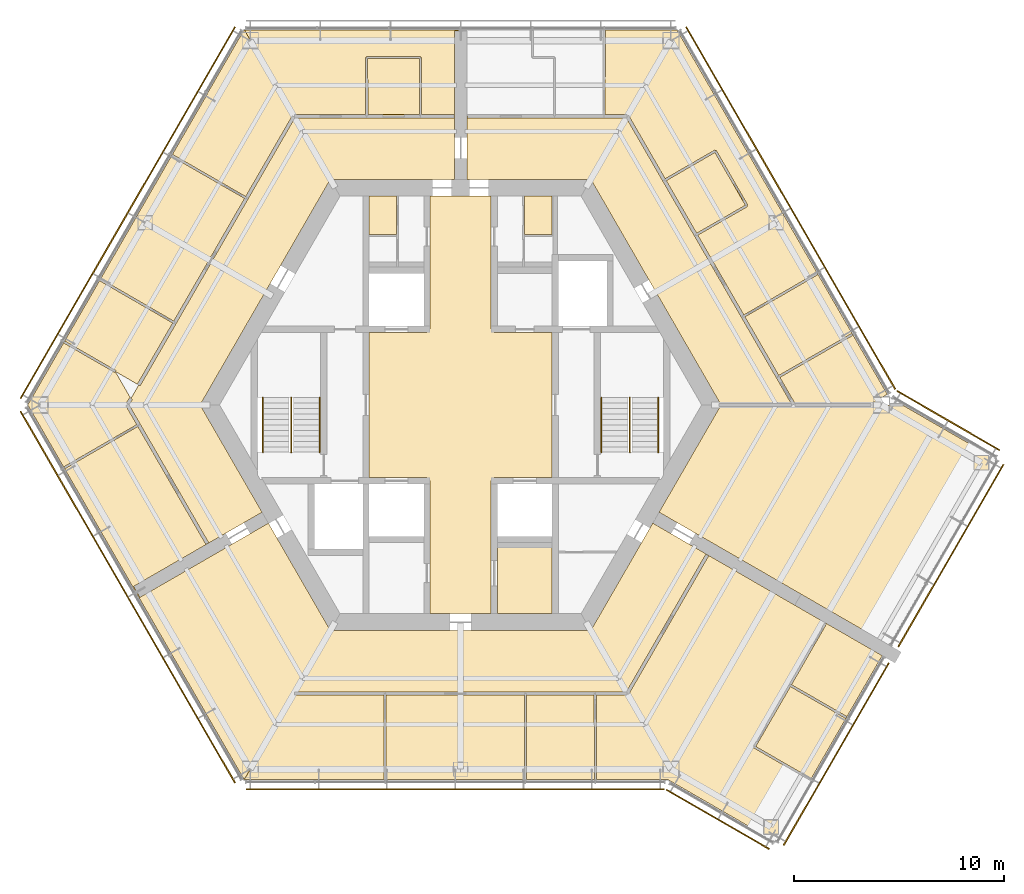
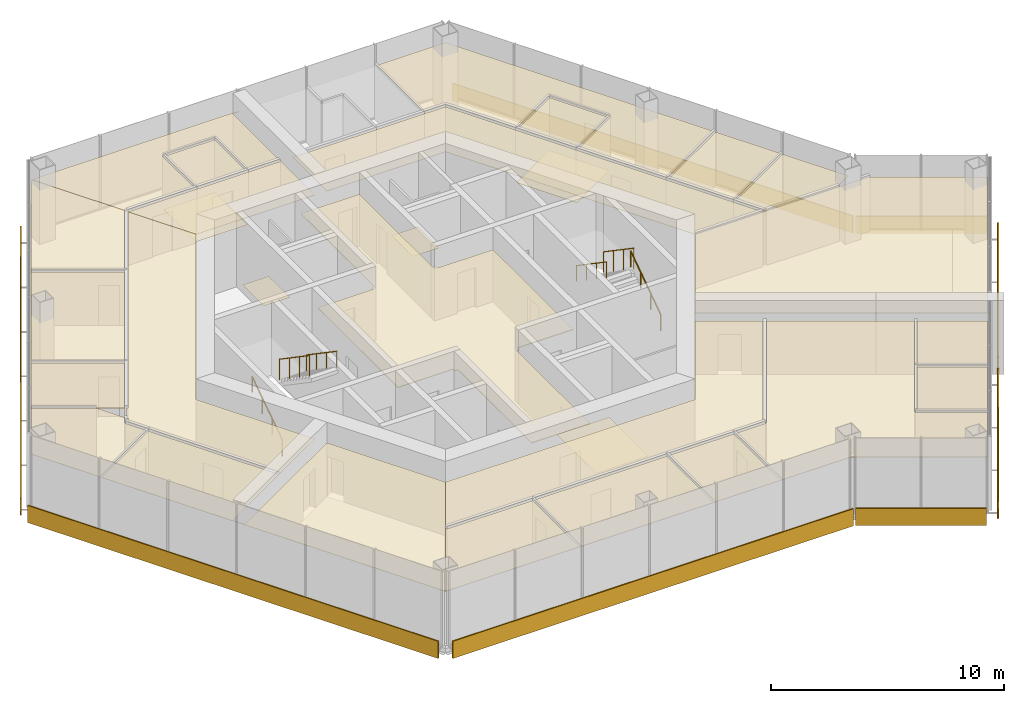
# One storey, part 12 of 13: 29 coverings, 8 shading devices, 6 railings.
"""IFC4 building model written with IfcOpenShell, lengths in metres."""

from ifc_helpers import new_model, si_unit, direction, frame, origin, origin_2d, place, context, subcontext, project, spatial, polyline, rectangle, circle, outline, extrude, material, layer, layer_set, type_object, element, save


model = new_model("IFC4")

# Units and contexts
model_context = context("Model", 3, precision=1e-05, world=origin(), true_north=direction((0.0, 1.0)))
body_context = subcontext(model_context, "Body", "Model", "MODEL_VIEW")
ifc_project = project(units=[si_unit("LENGTHUNIT", "METRE"), si_unit("AREAUNIT", "SQUARE_METRE"), si_unit("VOLUMEUNIT", "CUBIC_METRE"), si_unit("PLANEANGLEUNIT", "RADIAN"), si_unit("MASSUNIT", "GRAM", prefix="KILO")], contexts=[model_context])

# Site, building, storey
site_placement = place(None, origin())
site = spatial("IfcSite", under=ifc_project, at=site_placement, CompositionType="ELEMENT")
building_placement = place(site_placement, origin())
building = spatial("IfcBuilding", under=site, at=building_placement, Name="Kasaneha Research Tower", CompositionType="ELEMENT")
storey_placement = place(building_placement, frame((0.0, 0.0, 271.300048828125)))
storey = spatial("IfcBuildingStorey", under=building, at=storey_placement, Name="L68", CompositionType="ELEMENT", Elevation=271.300048828125)

# Covering
ifc_material_1 = material(Name="Aluminium panel ceiling", Category="aluminium")
ifc_layer_1 = layer(ifc_material_1, 0.0400390625)
ifc_layer_set_1 = layer_set([ifc_layer_1], Name="Lift lobby ceiling 40")
covering_type_1 = type_object("IfcCoveringType", Name="Lift lobby ceiling 40", PredefinedType="CEILING", material=ifc_layer_set_1)
covering_1_placement = place(storey_placement, frame((0.0, 0.0, 2.699951171875)))
element("IfcCovering", 1, at=covering_1_placement, inside=storey, type_object=covering_type_1, Name="Ceiling L68-01", PredefinedType="CEILING", context=body_context, shape_type="SweptSolid", body=[
    extrude(outline(polyline([(1.449951171875, 9.925048828125), (1.449951171875, 3.60009765625), (1.60009765625, 3.60009765625), (1.60009765625, 3.449951171875), (4.35009765625, 3.449951171875), (4.35009765625, -3.449951171875), (1.60009765625, -3.449951171875), (1.60009765625, -3.60009765625), (1.449951171875, -3.60009765625), (1.449951171875, -9.925048828125), (-1.449951171875, -9.925048828125), (-1.449951171875, -3.60009765625), (-1.60009765625, -3.60009765625), (-1.60009765625, -3.449951171875), (-4.35009765625, -3.449951171875), (-4.35009765625, 3.449951171875), (-1.60009765625, 3.449951171875), (-1.60009765625, 3.60009765625), (-1.449951171875, 3.60009765625), (-1.449951171875, 9.925048828125), (1.449951171875, 9.925048828125)])), origin(), (0.0, 0.0, 1.0), 0.0400390625),
])

# Railings
ifc_material_2 = material(Name="Steel", Category="steel")
railing_type_1 = type_object("IfcRailingType", Name="Stair balustrade 1100", PredefinedType="GUARDRAIL", material=ifc_material_2)
for number, where, name in (
    (2, (8.050048828125, 0.35009765625, 2.127197265625), "Stair 1 balustrade L68"),
    (3, (-8.050048828125, 0.35009765625, 2.127197265625), "Stair 2 balustrade L68"),
):
    element("IfcRailing", number, at=place(storey_placement, frame(where)), inside=storey, type_object=railing_type_1, Name=name, PredefinedType="GUARDRAIL", context=body_context, shape_type="SweptSolid", body=[
        extrude(circle(Radius=0.02392578125, at=origin_2d()), frame((0.0, 0.0, 1.076171875), z_axis=(0.0, -0.826240473404, 0.563317565952), x_axis=(1.0, 0.0, 0.0)), (0.0, 0.0, 1.0), 3.14697265625),
        extrude(circle(Radius=0.02099609375, at=origin_2d()), origin(), (0.0, 0.0, 1.0), 1.052001953125),
        extrude(circle(Radius=0.02099609375, at=origin_2d()), frame((0.0, -0.86669921875, 0.5908203125)), (0.0, 0.0, 1.0), 1.052001953125),
        extrude(circle(Radius=0.02099609375, at=origin_2d()), frame((0.0, -1.7333984375, 1.181884765625)), (0.0, 0.0, 1.0), 1.052001953125),
        extrude(circle(Radius=0.02099609375, at=origin_2d()), frame((0.0, -2.60009765625, 1.772705078125)), (0.0, 0.0, 1.0), 1.052001953125),
    ])
ifc_material_3 = material(Name="Steel", Category="steel")
railing_type_2 = type_object("IfcRailingType", Name="Stair handrail 850", PredefinedType="HANDRAIL", material=ifc_material_3)
railing_1_placement = place(storey_placement, frame((9.39990234375, -2.25, 0.17724609375)))
element("IfcRailing", 4, at=railing_1_placement, inside=storey, type_object=railing_type_2, Name="Stair 1 handrail L68", PredefinedType="HANDRAIL", context=body_context, shape_type="SweptSolid", body=[
    extrude(circle(Radius=0.02392578125, at=origin_2d()), frame((0.0, 0.0, 0.826171875), z_axis=(0.0, 0.826240473404, 0.563317565952), x_axis=(-1.0, 0.0, 0.0)), (0.0, 0.0, 1.0), 3.14697265625),
    extrude(circle(Radius=0.02099609375, at=origin_2d()), origin(), (0.0, 0.0, 1.0), 0.802001953125),
    extrude(circle(Radius=0.02099609375, at=origin_2d()), frame((0.0, 0.86669921875, 0.5908203125)), (0.0, 0.0, 1.0), 0.802001953125),
    extrude(circle(Radius=0.02099609375, at=origin_2d()), frame((0.0, 1.7333984375, 1.181884765625)), (0.0, 0.0, 1.0), 0.802001953125),
    extrude(circle(Radius=0.02099609375, at=origin_2d()), frame((0.0, 2.60009765625, 1.772705078125)), (0.0, 0.0, 1.0), 0.802001953125),
])
railing_2_placement = place(storey_placement, frame((6.699951171875, 0.35009765625, 2.127197265625)))
element("IfcRailing", 5, at=railing_2_placement, inside=storey, type_object=railing_type_2, Name="Stair 1 handrail L68", PredefinedType="HANDRAIL", context=body_context, shape_type="SweptSolid", body=[
    extrude(circle(Radius=0.02392578125, at=origin_2d()), frame((0.0, 0.0, 0.826171875), z_axis=(0.0, -0.826240473404, 0.563317565952), x_axis=(1.0, 0.0, 0.0)), (0.0, 0.0, 1.0), 3.14697265625),
    extrude(circle(Radius=0.02099609375, at=origin_2d()), origin(), (0.0, 0.0, 1.0), 0.802001953125),
    extrude(circle(Radius=0.02099609375, at=origin_2d()), frame((0.0, -0.86669921875, 0.5908203125)), (0.0, 0.0, 1.0), 0.802001953125),
    extrude(circle(Radius=0.02099609375, at=origin_2d()), frame((0.0, -1.7333984375, 1.181884765625)), (0.0, 0.0, 1.0), 0.802001953125),
    extrude(circle(Radius=0.02099609375, at=origin_2d()), frame((0.0, -2.60009765625, 1.772705078125)), (0.0, 0.0, 1.0), 0.802001953125),
])
railing_3_placement = place(storey_placement, frame((-9.39990234375, -2.25, 0.17724609375)))
element("IfcRailing", 6, at=railing_3_placement, inside=storey, type_object=railing_type_2, Name="Stair 2 handrail L68", PredefinedType="HANDRAIL", context=body_context, shape_type="SweptSolid", body=[
    extrude(circle(Radius=0.02392578125, at=origin_2d()), frame((0.0, 0.0, 0.826171875), z_axis=(0.0, 0.826240473404, 0.563317565952), x_axis=(-1.0, 0.0, 0.0)), (0.0, 0.0, 1.0), 3.14697265625),
    extrude(circle(Radius=0.02099609375, at=origin_2d()), origin(), (0.0, 0.0, 1.0), 0.802001953125),
    extrude(circle(Radius=0.02099609375, at=origin_2d()), frame((0.0, 0.86669921875, 0.5908203125)), (0.0, 0.0, 1.0), 0.802001953125),
    extrude(circle(Radius=0.02099609375, at=origin_2d()), frame((0.0, 1.7333984375, 1.181884765625)), (0.0, 0.0, 1.0), 0.802001953125),
    extrude(circle(Radius=0.02099609375, at=origin_2d()), frame((0.0, 2.60009765625, 1.772705078125)), (0.0, 0.0, 1.0), 0.802001953125),
])
railing_4_placement = place(storey_placement, frame((-6.699951171875, 0.35009765625, 2.127197265625)))
element("IfcRailing", 7, at=railing_4_placement, inside=storey, type_object=railing_type_2, Name="Stair 2 handrail L68", PredefinedType="HANDRAIL", context=body_context, shape_type="SweptSolid", body=[
    extrude(circle(Radius=0.02392578125, at=origin_2d()), frame((0.0, 0.0, 0.826171875), z_axis=(0.0, -0.826240473404, 0.563317565952), x_axis=(1.0, 0.0, 0.0)), (0.0, 0.0, 1.0), 3.14697265625),
    extrude(circle(Radius=0.02099609375, at=origin_2d()), origin(), (0.0, 0.0, 1.0), 0.802001953125),
    extrude(circle(Radius=0.02099609375, at=origin_2d()), frame((0.0, -0.86669921875, 0.5908203125)), (0.0, 0.0, 1.0), 0.802001953125),
    extrude(circle(Radius=0.02099609375, at=origin_2d()), frame((0.0, -1.7333984375, 1.181884765625)), (0.0, 0.0, 1.0), 0.802001953125),
    extrude(circle(Radius=0.02099609375, at=origin_2d()), frame((0.0, -2.60009765625, 1.772705078125)), (0.0, 0.0, 1.0), 0.802001953125),
])

# Coverings
ifc_material_4 = material(Name="Gypsum ceiling board", Category="gypsum")
ifc_layer_2 = layer(ifc_material_4, 0.02001953125)
ifc_layer_set_2 = layer_set([ifc_layer_2], Name="Suspended ceiling 20")
covering_type_2 = type_object("IfcCoveringType", Name="Suspended ceiling 20", PredefinedType="CEILING", material=ifc_layer_set_2)
covering_2_placement = place(storey_placement, frame((0.0, 0.0, 2.800048828125)))
element("IfcCovering", 8, at=covering_2_placement, inside=storey, type_object=covering_type_2, Name="Ceiling L68-27", PredefinedType="CEILING", context=body_context, shape_type="SweptSolid", body=[
    extrude(outline(polyline([(6.192138671875, 10.72509765625), (0.300048828125, 10.72509765625), (0.300048828125, 11.72509765625), (0.300048828125, 12.72509765625), (0.300048828125, 13.72509765625), (0.320068359375, 13.72509765625), (0.320068359375, 13.64990234375), (4.4599609375, 13.64990234375), (4.469970703125, 13.64990234375), (6.826416015625, 13.64990234375), (6.8359375, 13.64990234375), (7.880859375, 13.64990234375), (9.62353515625, 10.631591796875), (9.62353515625, 10.631591796875), (11.123779296875, 8.033203125), (11.123779296875, 8.033203125), (13.362060546875, 4.156005859375), (13.362060546875, 4.156005859375), (15.02783203125, 1.27099609375), (15.02783203125, 1.27099609375), (15.76171875, 0.0), (12.38427734375, 0.0), (6.192138671875, 10.72509765625)])), origin(), (0.0, 0.0, 1.0), 0.02001953125),
])
covering_3_placement = place(storey_placement, frame((0.0, 0.0, 2.800048828125)))
element("IfcCovering", 9, at=covering_3_placement, inside=storey, type_object=covering_type_2, Name="Ceiling L68-29", PredefinedType="CEILING", context=body_context, shape_type="SweptSolid", body=[
    extrude(outline(polyline([(12.0927734375, 12.004638671875), (13.542724609375, 9.4931640625), (11.223876953125, 8.159423828125), (9.7783203125, 10.663330078125), (12.0927734375, 12.004638671875)])), origin(), (0.0, 0.0, 1.0), 0.02001953125),
])
covering_4_placement = place(storey_placement, frame((0.0, 0.0, 2.800048828125)))
element("IfcCovering", 10, at=covering_4_placement, inside=storey, type_object=covering_type_2, Name="Ceiling L68-30", PredefinedType="CEILING", context=body_context, shape_type="SweptSolid", body=[
    extrude(outline(polyline([(18.619873046875, 3.3505859375), (18.594970703125, 3.393798828125), (15.127685546875, 1.397705078125), (13.51708984375, 4.18798828125), (16.988037109375, 6.197021484375), (16.963134765625, 6.240234375), (16.9716796875, 6.2451171875), (18.63720703125, 3.360595703125), (18.619873046875, 3.3505859375)])), origin(), (0.0, 0.0, 1.0), 0.02001953125),
])
covering_5_placement = place(storey_placement, frame((0.0, 0.0, 2.800048828125)))
element("IfcCovering", 11, at=covering_5_placement, inside=storey, type_object=covering_type_2, Name="Ceiling L68-32", PredefinedType="CEILING", context=body_context, shape_type="SweptSolid", body=[
    extrude(outline(polyline([(20.28759765625, 0.501708984375), (19.41845703125, 0.0), (15.84814453125, 0.0), (15.836669921875, 0.02001953125), (15.901611328125, 0.0576171875), (15.177734375, 1.311279296875), (18.644775390625, 3.30712890625), (18.619873046875, 3.3505859375), (18.63720703125, 3.360595703125), (20.28759765625, 0.501708984375)])), origin(), (0.0, 0.0, 1.0), 0.02001953125),
])
covering_6_placement = place(storey_placement, frame((0.0, 0.0, 2.800048828125)))
element("IfcCovering", 12, at=covering_6_placement, inside=storey, type_object=covering_type_2, Name="Ceiling L68-33", PredefinedType="CEILING", context=body_context, shape_type="SweptSolid", body=[
    extrude(outline(polyline([(16.962890625, 6.24072265625), (16.93798828125, 6.283447265625), (13.467041015625, 4.2744140625), (11.27392578125, 8.072998046875), (13.635986328125, 9.431640625), (13.611328125, 9.474609375), (13.611572265625, 9.474853515625), (13.611328125, 9.47509765625), (13.654296875, 9.5), (12.154296875, 12.097900390625), (12.111572265625, 12.0732421875), (12.111572265625, 12.0732421875), (12.111083984375, 12.072998046875), (12.0859375, 12.1162109375), (9.728271484375, 10.75), (7.989013671875, 13.762451171875), (7.924560546875, 13.725341796875), (7.924560546875, 13.725341796875), (7.924072265625, 13.725341796875), (7.924072265625, 13.800048828125), (6.87646484375, 13.800048828125), (6.880859375, 17.800537109375), (6.83154296875, 17.800537109375), (6.83154296875, 17.820556640625), (10.28857421875, 17.820556640625), (16.971435546875, 6.24560546875), (16.962890625, 6.24072265625)])), origin(), (0.0, 0.0, 1.0), 0.02001953125),
])
covering_7_placement = place(storey_placement, frame((0.0, 0.0, 2.800048828125)))
element("IfcCovering", 13, at=covering_7_placement, inside=storey, type_object=covering_type_2, Name="Ceiling L68-34", PredefinedType="CEILING", context=body_context, shape_type="SweptSolid", body=[
    extrude(outline(polyline([(-0.300048828125, 11.72509765625), (-0.300048828125, 10.72509765625), (-6.192138671875, 10.72509765625), (-7.880859375, 13.64990234375), (-4.469970703125, 13.64990234375), (-4.46044921875, 13.64990234375), (-1.904541015625, 13.64990234375), (-1.89501953125, 13.64990234375), (-0.320068359375, 13.64990234375), (-0.320068359375, 13.72509765625), (-0.300048828125, 13.72509765625), (-0.300048828125, 12.72509765625), (-0.300048828125, 11.72509765625)])), origin(), (0.0, 0.0, 1.0), 0.02001953125),
])
covering_8_placement = place(storey_placement, frame((0.0, 0.0, 2.800048828125)))
element("IfcCovering", 14, at=covering_8_placement, inside=storey, type_object=covering_type_2, Name="Ceiling L68-35", PredefinedType="CEILING", context=body_context, shape_type="SweptSolid", body=[
    extrude(outline(polyline([(-1.9501953125, 16.47509765625), (-1.954345703125, 13.800048828125), (-4.41064453125, 13.800048828125), (-4.4150390625, 16.47509765625), (-1.9501953125, 16.47509765625)])), origin(), (0.0, 0.0, 1.0), 0.02001953125),
])
covering_9_placement = place(storey_placement, frame((0.0, 0.0, 2.800048828125)))
element("IfcCovering", 15, at=covering_9_placement, inside=storey, type_object=covering_type_2, Name="Ceiling L68-36", PredefinedType="CEILING", context=body_context, shape_type="SweptSolid", body=[
    extrude(outline(polyline([(-0.320068359375, 13.7255859375), (-0.320068359375, 13.800048828125), (-1.8544921875, 13.800048828125), (-1.85009765625, 16.52490234375), (-1.899658203125, 16.52490234375), (-1.899658203125, 16.525390625), (-1.89990234375, 16.525390625), (-1.89990234375, 16.574951171875), (-4.465087890625, 16.574951171875), (-4.465087890625, 16.525390625), (-4.465087890625, 16.52490234375), (-4.514892578125, 16.52490234375), (-4.510498046875, 13.800048828125), (-7.90087890625, 13.800048828125), (-7.90087890625, 13.725341796875), (-7.92431640625, 13.725341796875), (-10.28857421875, 17.820556640625), (0.0, 17.820556640625), (0.0, 17.7705078125), (-0.300048828125, 17.7705078125), (-0.300048828125, 17.7705078125), (-0.300048828125, 13.7255859375), (-0.320068359375, 13.7255859375)])), origin(), (0.0, 0.0, 1.0), 0.02001953125),
])
covering_10_placement = place(storey_placement, frame((0.0, 0.0, 2.800048828125)))
element("IfcCovering", 16, at=covering_10_placement, inside=storey, type_object=covering_type_2, Name="Ceiling L68-37", PredefinedType="CEILING", context=body_context, shape_type="SweptSolid", body=[
    extrude(outline(polyline([(-12.38427734375, 0.0), (-9.438232421875, -5.102783203125), (-10.30419921875, -5.602783203125), (-10.30419921875, -5.602783203125), (-11.170166015625, -6.102783203125), (-11.170166015625, -6.102783203125), (-12.0361328125, -6.602783203125), (-12.046142578125, -6.58544921875), (-11.981201171875, -6.5478515625), (-15.239013671875, -0.905517578125), (-15.239013671875, -0.905517578125), (-15.76171875, 0.0), (-15.607177734375, 0.267578125), (-15.672119140625, 0.304931640625), (-15.30419921875, 0.9423828125), (-15.2392578125, 0.90478515625), (-13.5263671875, 3.871337890625), (-13.526611328125, 3.871337890625), (-10.111328125, 9.786865234375), (-10.111328125, 9.786865234375), (-7.880859375, 13.64990234375), (-7.880859375, 13.64990234375), (-6.192138671875, 10.72509765625), (-12.38427734375, 0.0)])), origin(), (0.0, 0.0, 1.0), 0.02001953125),
])
covering_11_placement = place(storey_placement, frame((0.0, 0.0, 2.800048828125)))
element("IfcCovering", 17, at=covering_11_placement, inside=storey, type_object=covering_type_2, Name="Ceiling L68-38", PredefinedType="CEILING", context=body_context, shape_type="SweptSolid", body=[
    extrude(outline(polyline([(-17.12353515625, 5.9423828125), (-17.1484375, 5.899169921875), (-13.68603515625, 3.89501953125), (-15.36669921875, 0.984130859375), (-16.413330078125, 1.58837890625), (-16.38818359375, 1.6318359375), (-18.81494140625, 3.03271484375), (-18.83984375, 2.989501953125), (-18.848388671875, 2.994384765625), (-17.140869140625, 5.952392578125), (-17.12353515625, 5.9423828125)])), origin(), (0.0, 0.0, 1.0), 0.02001953125),
])
covering_12_placement = place(storey_placement, frame((0.0, 0.0, 2.800048828125)))
element("IfcCovering", 18, at=covering_12_placement, inside=storey, type_object=covering_type_2, Name="Ceiling L68-39", PredefinedType="CEILING", context=body_context, shape_type="SweptSolid", body=[
    extrude(outline(polyline([(-12.027587890625, 14.83251953125), (-10.299072265625, 17.826416015625), (-10.291748046875, 17.83203125), (-10.282470703125, 17.830810546875), (-7.912353515625, 13.725830078125), (-7.917236328125, 13.714111328125), (-7.924560546875, 13.725341796875), (-7.93603515625, 13.705322265625), (-8.000732421875, 13.742431640625), (-10.21630859375, 9.905029296875), (-13.691650390625, 11.906494140625), (-13.716552734375, 11.86328125), (-13.725341796875, 11.8681640625), (-12.023193359375, 14.816162109375), (-12.029052734375, 14.82373046875), (-12.027587890625, 14.83251953125)])), origin(), (0.0, 0.0, 1.0), 0.02001953125),
])
covering_13_placement = place(storey_placement, frame((0.0, 0.0, 2.800048828125)))
element("IfcCovering", 19, at=covering_13_placement, inside=storey, type_object=covering_type_2, Name="Ceiling L68-40", PredefinedType="CEILING", context=body_context, shape_type="SweptSolid", body=[
    extrude(outline(polyline([(-18.848388671875, -2.994384765625), (-20.577880859375, 0.0), (-18.8486328125, 2.99462890625), (-18.83984375, 2.989501953125), (-18.864990234375, 2.9462890625), (-16.438232421875, 1.545166015625), (-16.416015625, 1.58349609375), (-15.680908203125, 0.31005859375), (-15.737060546875, 0.342529296875), (-15.913330078125, 0.03759765625), (-15.848388671875, 0.0), (-15.913330078125, -0.03759765625), (-15.393798828125, -0.937255859375), (-18.864990234375, -2.9462890625), (-18.83984375, -2.989501953125), (-18.848388671875, -2.994384765625)])), origin(), (0.0, 0.0, 1.0), 0.02001953125),
])
covering_14_placement = place(storey_placement, frame((0.0, 0.0, 2.800048828125)))
element("IfcCovering", 20, at=covering_14_placement, inside=storey, type_object=covering_type_2, Name="Ceiling L68-41", PredefinedType="CEILING", context=body_context, shape_type="SweptSolid", body=[
    extrude(outline(polyline([(-17.140380859375, 5.952880859375), (-13.7255859375, 11.86767578125), (-13.716796875, 11.86279296875), (-13.74169921875, 11.81982421875), (-10.26611328125, 9.818359375), (-13.63623046875, 3.981689453125), (-17.098388671875, 5.985595703125), (-17.123291015625, 5.94287109375), (-17.140380859375, 5.952880859375)])), origin(), (0.0, 0.0, 1.0), 0.02001953125),
])
covering_15_placement = place(storey_placement, frame((0.0, 0.0, 2.800048828125)))
element("IfcCovering", 21, at=covering_15_placement, inside=storey, type_object=covering_type_2, Name="Ceiling L68-42", PredefinedType="CEILING", context=body_context, shape_type="SweptSolid", body=[
    extrude(outline(polyline([(-15.539794921875, -8.62548828125), (-15.3896484375, -8.88525390625), (-15.43310546875, -8.91015625), (-18.84814453125, -2.994873046875), (-18.839599609375, -2.989990234375), (-18.81494140625, -3.03271484375), (-15.34375, -1.023681640625), (-12.111083984375, -6.622802734375), (-12.046630859375, -6.585693359375), (-12.03662109375, -6.60302734375), (-15.539794921875, -8.62548828125), (-15.539794921875, -8.62548828125), (-15.539794921875, -8.62548828125)])), origin(), (0.0, 0.0, 1.0), 0.02001953125),
])
covering_16_placement = place(storey_placement, frame((0.0, 0.0, 2.800048828125)))
element("IfcCovering", 22, at=covering_16_placement, inside=storey, type_object=covering_type_2, Name="Ceiling L68-43", PredefinedType="CEILING", context=body_context, shape_type="SweptSolid", body=[
    extrude(outline(polyline([(-10.004150390625, -6.122314453125), (-10.004150390625, -6.122314453125), (-9.50927734375, -5.836669921875), (-9.13818359375, -5.622314453125), (-6.192138671875, -10.72509765625), (-7.880859375, -13.64990234375), (-7.90087890625, -13.64990234375), (-7.90087890625, -13.684814453125), (-10.28857421875, -17.820556640625), (-15.43310546875, -8.91015625), (-15.3896484375, -8.88525390625), (-15.23974609375, -9.14501953125), (-10.004150390625, -6.122314453125)])), origin(), (0.0, 0.0, 1.0), 0.02001953125),
])
covering_17_placement = place(storey_placement, frame((0.0, 0.0, 2.800048828125)))
element("IfcCovering", 23, at=covering_17_placement, inside=storey, type_object=covering_type_2, Name="Ceiling L68-44", PredefinedType="CEILING", context=body_context, shape_type="SweptSolid", body=[
    extrude(outline(polyline([(11.170166015625, -6.102783203125), (10.30419921875, -5.602783203125), (10.227783203125, -5.55859375), (9.438232421875, -5.102783203125), (12.38427734375, 0.0), (15.76171875, 0.0), (15.771728515625, -0.017578125), (15.802001953125, 0.0), (21.0, 0.0), (25.446044921875, -2.56689453125), (20.34619140625, -11.400390625), (12.1259765625, -6.654541015625), (11.170166015625, -6.102783203125)])), origin(), (0.0, 0.0, 1.0), 0.02001953125),
])
covering_18_placement = place(storey_placement, frame((0.0, 0.0, 2.800048828125)))
element("IfcCovering", 24, at=covering_18_placement, inside=storey, type_object=covering_type_2, Name="Ceiling L68-45", PredefinedType="CEILING", context=body_context, shape_type="SweptSolid", body=[
    extrude(outline(polyline([(-6.192138671875, -10.72509765625), (6.192138671875, -10.72509765625), (9.13818359375, -5.622314453125), (10.004150390625, -6.122314453125), (10.004150390625, -6.122314453125), (10.8701171875, -6.622314453125), (10.8701171875, -6.622314453125), (11.736083984375, -7.122314453125), (11.726318359375, -7.1396484375), (11.6611328125, -7.10205078125), (7.880859375, -13.64990234375), (6.413330078125, -13.64990234375), (6.40380859375, -13.64990234375), (3.081787109375, -13.64990234375), (3.072509765625, -13.64990234375), (-3.57958984375, -13.64990234375), (-3.589111328125, -13.64990234375), (-7.880859375, -13.64990234375), (-6.192138671875, -10.72509765625)])), origin(), (0.0, 0.0, 1.0), 0.02001953125),
])
covering_19_placement = place(storey_placement, frame((0.0, 0.0, 2.800048828125)))
element("IfcCovering", 25, at=covering_19_placement, inside=storey, type_object=covering_type_2, Name="Ceiling L68-46", PredefinedType="CEILING", context=body_context, shape_type="SweptSolid", body=[
    extrude(outline(polyline([(-7.924560546875, -13.72509765625), (-7.90087890625, -13.72509765625), (-7.90087890625, -13.800048828125), (-3.638916015625, -13.800048828125), (-3.634521484375, -17.800537109375), (-3.58447265625, -17.800537109375), (-3.58447265625, -17.820556640625), (-10.2890625, -17.820556640625), (-7.924560546875, -13.72509765625)])), origin(), (0.0, 0.0, 1.0), 0.02001953125),
])
covering_20_placement = place(storey_placement, frame((0.0, 0.0, 2.800048828125)))
element("IfcCovering", 26, at=covering_20_placement, inside=storey, type_object=covering_type_2, Name="Ceiling L68-47", PredefinedType="CEILING", context=body_context, shape_type="SweptSolid", body=[
    extrude(outline(polyline([(3.077392578125, -17.800537109375), (3.12744140625, -17.800537109375), (3.1318359375, -13.800048828125), (6.353759765625, -13.800048828125), (6.3583984375, -17.800537109375), (6.408203125, -17.800537109375), (6.408203125, -17.820556640625), (3.077392578125, -17.820556640625), (3.077392578125, -17.800537109375)])), origin(), (0.0, 0.0, 1.0), 0.02001953125),
])
covering_21_placement = place(storey_placement, frame((0.0, 0.0, 2.800048828125)))
element("IfcCovering", 27, at=covering_21_placement, inside=storey, type_object=covering_type_2, Name="Ceiling L68-48", PredefinedType="CEILING", context=body_context, shape_type="SweptSolid", body=[
    extrude(outline(polyline([(16.646240234375, -17.80908203125), (16.62890625, -17.799072265625), (16.65380859375, -17.755615234375), (14.02978515625, -16.24072265625), (15.68115234375, -13.389404296875), (18.303955078125, -14.89794921875), (18.328857421875, -14.8544921875), (18.34619140625, -14.864501953125), (16.646240234375, -17.80908203125)])), origin(), (0.0, 0.0, 1.0), 0.02001953125),
])
covering_22_placement = place(storey_placement, frame((0.0, 0.0, 2.800048828125)))
element("IfcCovering", 28, at=covering_22_placement, inside=storey, type_object=covering_type_2, Name="Ceiling L68-49", PredefinedType="CEILING", context=body_context, shape_type="SweptSolid", body=[
    extrude(outline(polyline([(18.34619140625, -14.864501953125), (18.328857421875, -14.8544921875), (18.353759765625, -14.811279296875), (15.731201171875, -13.302734375), (17.394775390625, -10.412353515625), (17.3515625, -10.387451171875), (17.361572265625, -10.3701171875), (20.046142578125, -11.920166015625), (18.34619140625, -14.864501953125)])), origin(), (0.0, 0.0, 1.0), 0.02001953125),
])
covering_23_placement = place(storey_placement, frame((0.0, 0.0, 2.800048828125)))
element("IfcCovering", 29, at=covering_23_placement, inside=storey, type_object=covering_type_2, Name="Ceiling L68-50", PredefinedType="CEILING", context=body_context, shape_type="SweptSolid", body=[
    extrude(outline(polyline([(13.96142578125, -16.25927734375), (13.9365234375, -16.30224609375), (16.603759765625, -17.84228515625), (16.62841796875, -17.799560546875), (16.64599609375, -17.8095703125), (14.946044921875, -20.75341796875), (9.865966796875, -17.820556640625), (6.40869140625, -17.820556640625), (6.40869140625, -17.800537109375), (6.458251953125, -17.800537109375), (6.453857421875, -13.800048828125), (7.924072265625, -13.800048828125), (7.924072265625, -13.725341796875), (7.924560546875, -13.725341796875), (7.924560546875, -13.725341796875), (7.989013671875, -13.762451171875), (11.791259765625, -7.177001953125), (11.7265625, -7.139892578125), (11.736572265625, -7.12255859375), (17.361083984375, -10.369873046875), (17.35107421875, -10.38720703125), (17.30810546875, -10.362548828125), (15.6220703125, -13.291748046875), (13.918212890625, -16.23388671875), (13.961181640625, -16.2587890625), (13.9609375, -16.259033203125), (13.96142578125, -16.25927734375)])), origin(), (0.0, 0.0, 1.0), 0.02001953125),
])
covering_24_placement = place(storey_placement, frame((0.0, 0.0, 2.800048828125)))
element("IfcCovering", 30, at=covering_24_placement, inside=storey, type_object=covering_type_2, Name="Ceiling L68-51", PredefinedType="CEILING", context=body_context, shape_type="SweptSolid", body=[
    extrude(outline(polyline([(3.076904296875, -17.820556640625), (-3.583984375, -17.820556640625), (-3.583984375, -17.800537109375), (-3.534423828125, -17.800537109375), (-3.538818359375, -13.800048828125), (3.03173828125, -13.800048828125), (3.02734375, -17.800537109375), (3.076904296875, -17.800537109375), (3.076904296875, -17.820556640625)])), origin(), (0.0, 0.0, 1.0), 0.02001953125),
])

# Shading devices
ifc_material_5 = material(Name="Terracotta", Category="masonry")
ifc_layer_3 = layer(ifc_material_5, 0.06005859375)
ifc_layer_set_3 = layer_set([ifc_layer_3], Name="Terracotta baguette screen")
shading_device_type = type_object("IfcShadingDeviceType", Name="Terracotta baguette screen", PredefinedType="USERDEFINED", material=ifc_layer_set_3)
shading_device_1_placement = place(storey_placement, frame((15.696044921875, 9.35498046875, -0.449951171875), z_axis=(0.0, 0.0, 1.0), x_axis=(-0.499999979232, 0.866025415775, 0.0)))
element("IfcShadingDevice", 31, at=shading_device_1_placement, inside=storey, type_object=shading_device_type, Name="Baguette screen L68 01", ObjectType="TERRACOTTA BAGUETTE SCREEN", PredefinedType="USERDEFINED", context=body_context, shape_type="SweptSolid", body=[
    extrude(rectangle(XDim=19.8857421875, YDim=0.06005859375, at=origin_2d()), origin(), (0.0, 0.0, 1.0), 0.89990234375),
])
for number, where, z_axis, x_axis, name in (
    (32, (-15.82275390625, 9.13525390625, -0.449951171875), (0.0, 0.0, 1.0), (-0.499999995722, -0.866025406254, 0.0), "Baguette screen L68 03"),
    (33, (-15.82275390625, -9.13525390625, -0.449951171875), (0.0, 0.0, 1.0), (0.499999995722, -0.866025406254, 0.0), "Baguette screen L68 04"),
):
    element("IfcShadingDevice", number, at=place(storey_placement, frame(where, z_axis=z_axis, x_axis=x_axis)), inside=storey, type_object=shading_device_type, Name=name, ObjectType="TERRACOTTA BAGUETTE SCREEN", PredefinedType="USERDEFINED", context=body_context, shape_type="SweptSolid", body=[
        extrude(rectangle(XDim=20.392822265625, YDim=0.06005859375, at=origin_2d()), origin(), (0.0, 0.0, 1.0), 0.89990234375),
    ])
shading_device_2_placement = place(storey_placement, frame((-0.253662109375, -18.2705078125, -0.449951171875), z_axis=(0.0, 0.0, 1.0), x_axis=(1.0, 0.0, 0.0)))
element("IfcShadingDevice", 34, at=shading_device_2_placement, inside=storey, type_object=shading_device_type, Name="Baguette screen L68 05", ObjectType="TERRACOTTA BAGUETTE SCREEN", PredefinedType="USERDEFINED", context=body_context, shape_type="SweptSolid", body=[
    extrude(rectangle(XDim=19.8857421875, YDim=0.06005859375, at=origin_2d()), origin(), (0.0, 0.0, 1.0), 0.89990234375),
])
shading_device_3_placement = place(storey_placement, frame((12.236083984375, -19.70849609375, -0.449951171875), z_axis=(0.0, 0.0, 1.0), x_axis=(0.866025443395, -0.499999931393, 0.0)))
element("IfcShadingDevice", 35, at=shading_device_3_placement, inside=storey, type_object=shading_device_type, Name="Baguette screen L68 06", ObjectType="TERRACOTTA BAGUETTE SCREEN", PredefinedType="USERDEFINED", context=body_context, shape_type="SweptSolid", body=[
    extrude(rectangle(XDim=5.63916015625, YDim=0.06005859375, at=origin_2d()), origin(), (0.0, 0.0, 1.0), 0.89990234375),
])
for number, where, z_axis, x_axis, name in (
    (36, (17.86083984375, -16.60498046875, -0.449951171875), (0.0, 0.0, 1.0), (0.500000011442, 0.866025397178, 0.0), "Baguette screen L68 07"),
    (37, (23.310791015625, -7.16552734375, -0.449951171875), (0.0, 0.0, 1.0), (0.500000011442, 0.866025397178, 0.0), "Baguette screen L68 08"),
):
    element("IfcShadingDevice", number, at=place(storey_placement, frame(where, z_axis=z_axis, x_axis=x_axis)), inside=storey, type_object=shading_device_type, Name=name, ObjectType="TERRACOTTA BAGUETTE SCREEN", PredefinedType="USERDEFINED", context=body_context, shape_type="SweptSolid", body=[
        extrude(rectangle(XDim=10.0, YDim=0.06005859375, at=origin_2d()), origin(), (0.0, 0.0, 1.0), 0.89990234375),
    ])
shading_device_4_placement = place(storey_placement, frame((23.18603515625, -0.742431640625, -0.449951171875), z_axis=(0.0, 0.0, 1.0), x_axis=(-0.866025443395, 0.499999931393, 0.0)))
element("IfcShadingDevice", 38, at=shading_device_4_placement, inside=storey, type_object=shading_device_type, Name="Baguette screen L68 09", ObjectType="TERRACOTTA BAGUETTE SCREEN", PredefinedType="USERDEFINED", context=body_context, shape_type="SweptSolid", body=[
    extrude(rectangle(XDim=5.63916015625, YDim=0.06005859375, at=origin_2d()), origin(), (0.0, 0.0, 1.0), 0.89990234375),
])

# Coverings
ifc_material_6 = material(Name="Vinyl sheet flooring", Category="plastic")
ifc_layer_4 = layer(ifc_material_6, 0.0048828125)
ifc_layer_set_4 = layer_set([ifc_layer_4], Name="Wet room sheet flooring 5")
covering_type_3 = type_object("IfcCoveringType", Name="Wet room sheet flooring 5", PredefinedType="FLOORING", material=ifc_layer_set_4)
covering_25_placement = place(storey_placement, origin())
element("IfcCovering", 39, at=covering_25_placement, inside=storey, type_object=covering_type_3, Name="Floor finish L68-07", PredefinedType="FLOORING", context=body_context, shape_type="SweptSolid", body=[
    extrude(outline(polyline([(-4.35009765625, 8.10009765625), (-4.35009765625, 9.925048828125), (-3.050048828125, 9.925048828125), (-3.050048828125, 8.10009765625), (-4.35009765625, 8.10009765625)])), origin(), (0.0, 0.0, 1.0), 0.0048828125),
])
covering_26_placement = place(storey_placement, origin())
element("IfcCovering", 40, at=covering_26_placement, inside=storey, type_object=covering_type_3, Name="Floor finish L68-10", PredefinedType="FLOORING", context=body_context, shape_type="SweptSolid", body=[
    extrude(outline(polyline([(4.35009765625, 8.10009765625), (3.050048828125, 8.10009765625), (3.050048828125, 9.925048828125), (4.35009765625, 9.925048828125), (4.35009765625, 8.10009765625)])), origin(), (0.0, 0.0, 1.0), 0.0048828125),
])
covering_27_placement = place(storey_placement, origin())
element("IfcCovering", 41, at=covering_27_placement, inside=storey, type_object=covering_type_3, Name="Floor finish L68-13", PredefinedType="FLOORING", context=body_context, shape_type="SweptSolid", body=[
    extrude(outline(polyline([(1.75, -9.925048828125), (1.75, -6.550048828125), (4.35009765625, -6.550048828125), (4.35009765625, -9.925048828125), (1.75, -9.925048828125)])), origin(), (0.0, 0.0, 1.0), 0.0048828125),
])
covering_28_placement = place(storey_placement, origin())
element("IfcCovering", 42, at=covering_28_placement, inside=storey, type_object=covering_type_3, Name="Floor finish L68-29", PredefinedType="FLOORING", context=body_context, shape_type="SweptSolid", body=[
    extrude(outline(polyline([(12.111083984375, 12.072998046875), (13.611083984375, 9.474853515625), (11.186279296875, 8.074951171875), (9.686279296875, 10.673095703125), (12.111083984375, 12.072998046875)])), origin(), (0.0, 0.0, 1.0), 0.0048828125),
])
covering_29_placement = place(storey_placement, origin())
element("IfcCovering", 43, at=covering_29_placement, inside=storey, type_object=covering_type_3, Name="Floor finish L68-35", PredefinedType="FLOORING", context=body_context, shape_type="SweptSolid", body=[
    extrude(outline(polyline([(-4.465087890625, 16.52490234375), (-1.89990234375, 16.52490234375), (-1.89990234375, 13.72509765625), (-4.465087890625, 13.72509765625), (-4.465087890625, 16.52490234375)])), origin(), (0.0, 0.0, 1.0), 0.0048828125),
])

save(model, "model.ifc")
